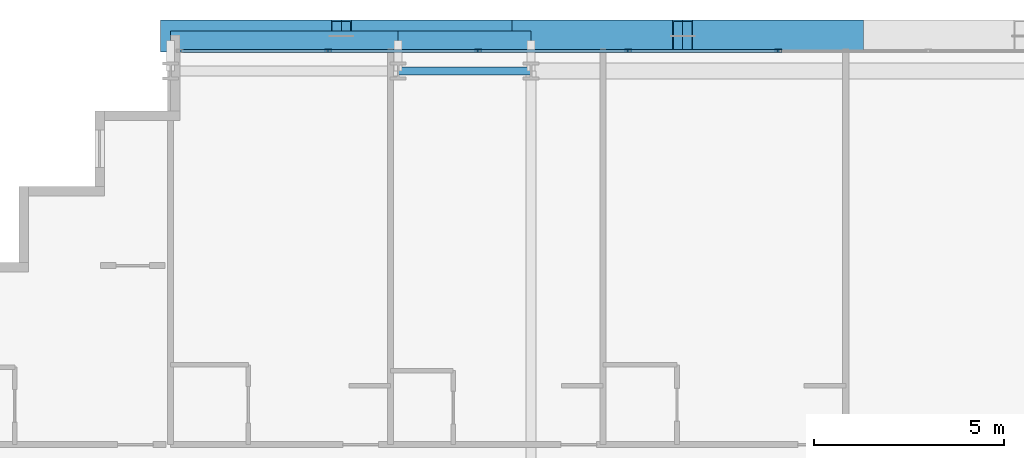
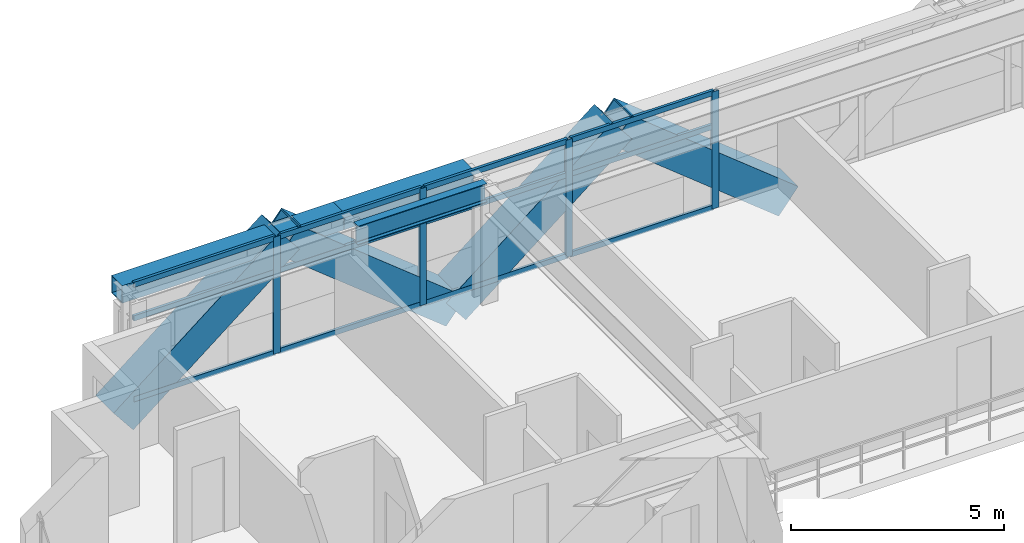
# One storey, part 18 of 35: 20 members, 3 beams, 1 element without a shape of its own.
"""IFC4 building model written with IfcOpenShell, lengths in metres."""

from ifc_helpers import new_model, si_unit, direction, frame, origin, origin_2d, place, context, subcontext, project, spatial, hollow_rectangle, i_section, extrude, source, transform, mapped, material, layer, layer_set, material_profile, profile_set, type_object, element, aggregate, save


model = new_model("IFC4")

# Units and contexts
model_context = context("Model", 3, precision=1e-05, world=origin(), true_north=direction((0.0, 1.0)))
body_context = subcontext(model_context, "Body", "Model", "MODEL_VIEW")
ifc_project = project(units=[si_unit("LENGTHUNIT", "METRE"), si_unit("AREAUNIT", "SQUARE_METRE"), si_unit("VOLUMEUNIT", "CUBIC_METRE"), si_unit("PLANEANGLEUNIT", "RADIAN"), si_unit("MASSUNIT", "GRAM", prefix="KILO")], contexts=[model_context])

# Site, building, storey
site_placement = place(None, origin())
site = spatial("IfcSite", under=ifc_project, at=site_placement, CompositionType="ELEMENT")
building_placement = place(site_placement, origin())
building = spatial("IfcBuilding", under=site, at=building_placement, Name="Ocotamira Hotel", CompositionType="ELEMENT")
storey_placement = place(building_placement, frame((0.0, 0.0, 49.199951171875)))
storey = spatial("IfcBuildingStorey", under=building, at=storey_placement, Name="L11", CompositionType="ELEMENT", Elevation=49.199951171875)

# Beams
ifc_material_1 = material(Name="Steel ASTM A992 Grade 50", Category="steel")
ifc_material_profile_1 = material_profile(ifc_material_1, i_section(OverallWidth=0.2099609375, OverallDepth=0.537109375, WebThickness=0.010986328125, FlangeThickness=0.017333984375, FilletRadius=0.012939453125, at=origin_2d()), Name="W21X68")
ifc_profile_set_1 = profile_set([ifc_material_profile_1], Name="Steel ASTM A992 Grade 50")
beam_type_1 = type_object("IfcBeamType", Name="BM-SEC-W21X68", PredefinedType="JOIST", material=ifc_profile_set_1)
shared_shape_1 = source(origin(), body_context, "Body", "SweptSolid", [
    extrude(i_section(OverallWidth=0.2099609375, OverallDepth=0.537109375, WebThickness=0.010986328125, FlangeThickness=0.017333984375, FilletRadius=0.012939453125, at=origin_2d()), origin(), (0.0, 0.0, 1.0), 3.5),
])
beam_1_placement = place(storey_placement, frame((20.0, 49.050048828125, 3.08154296875), z_axis=(1.0, 0.0, 0.0), x_axis=(0.0, 1.0, 0.0)))
element("IfcBeam", 1, at=beam_1_placement, inside=storey, type_object=beam_type_1, Name="L11 Girder Y49.05 X20-23.5", PredefinedType="JOIST", context=body_context, shape_type="MappedRepresentation", body=[
    mapped(shared_shape_1, transform((0.0, 0.0, 0.0), scale=1.0)),
])
ifc_material_2 = material(Name="Steel ASTM A500 Grade C", Category="steel")
ifc_material_profile_2 = material_profile(ifc_material_2, hollow_rectangle(XDim=0.5, YDim=0.5, WallThickness=0.02001953125, at=origin_2d()), Name="HSS500X500X20")
ifc_profile_set_2 = profile_set([ifc_material_profile_2], Name="Steel ASTM A500 Grade C")
beam_type_2 = type_object("IfcBeamType", Name="BM-SPAN-HSS500", PredefinedType="USERDEFINED", material=ifc_profile_set_2)
shared_shape_2 = source(origin(), body_context, "Body", "SweptSolid", [
    extrude(hollow_rectangle(XDim=0.5, YDim=0.5, WallThickness=0.02001953125, at=origin_2d()), origin(), (0.0, 0.0, 1.0), 6.0),
])
beam_2_placement = place(storey_placement, frame((14.0, 49.85009765625, 3.10009765625), z_axis=(1.0, 0.0, 0.0), x_axis=(0.0, 1.0, 0.0)))
element("IfcBeam", 2, at=beam_2_placement, inside=storey, type_object=beam_type_2, Name="L11 Edge Spandrel N X14-20", ObjectType="SPANDREL", PredefinedType="USERDEFINED", context=body_context, shape_type="MappedRepresentation", body=[
    mapped(shared_shape_2, transform((0.0, 0.0, 0.0), scale=1.0)),
])
shared_shape_3 = source(origin(), body_context, "Body", "SweptSolid", [
    extrude(hollow_rectangle(XDim=0.5, YDim=0.5, WallThickness=0.02001953125, at=origin_2d()), origin(), (0.0, 0.0, 1.0), 3.5),
])
beam_3_placement = place(storey_placement, frame((20.0, 49.85009765625, 3.10009765625), z_axis=(1.0, 0.0, 0.0), x_axis=(0.0, 1.0, 0.0)))
element("IfcBeam", 3, at=beam_3_placement, inside=storey, type_object=beam_type_2, Name="L11 Edge Spandrel N X20-23.5", ObjectType="SPANDREL", PredefinedType="USERDEFINED", context=body_context, shape_type="MappedRepresentation", body=[
    mapped(shared_shape_3, transform((0.0, 0.0, 0.0), scale=1.0)),
])

# Members
ifc_material_3 = material(Name="Pale-metal coated steel ASTM A913 Grade 65", Category="steel")
ifc_material_profile_3 = material_profile(ifc_material_3, hollow_rectangle(XDim=0.85009765625, YDim=0.85009765625, WallThickness=0.035888671875, at=origin_2d()), Name="BOX850X850X36")
ifc_profile_set_3 = profile_set([ifc_material_profile_3], Name="Pale-metal coated steel ASTM A913 Grade 65")
member_type_1 = type_object("IfcMemberType", Name="MEM-EXO-BOX850", PredefinedType="BRACE", material=ifc_profile_set_3)
shared_shape_4 = source(origin(), body_context, "Body", "SweptSolid", [
    extrude(hollow_rectangle(XDim=0.85009765625, YDim=0.85009765625, WallThickness=0.035888671875, at=origin_2d()), origin(), (0.0, 0.0, 1.0), 5.762939453125),
])
for number, where, z_axis, x_axis, name in (
    (4, (14.0, 49.969970703125, -0.5), (0.780860543151, 0.0, 0.624705380279), (0.0, 1.0, 0.0), "L11 Exoskeleton Diagrid N0.1"),
    (5, (23.0, 49.969970703125, -0.5), (-0.780860543151, 0.0, 0.624705380279), (0.0, -1.0, 0.0), "L11 Exoskeleton Diagrid N0.2"),
    (6, (23.0, 49.969970703125, -0.5), (0.780860543151, 0.0, 0.624705380279), (0.0, 1.0, 0.0), "L11 Exoskeleton Diagrid N1.1"),
    (7, (32.0, 49.969970703125, -0.5), (-0.780860543151, 0.0, 0.624705380279), (0.0, -1.0, 0.0), "L11 Exoskeleton Diagrid N1.2"),
):
    element("IfcMember", number, at=place(storey_placement, frame(where, z_axis=z_axis, x_axis=x_axis)), inside=storey, type_object=member_type_1, Name=name, PredefinedType="BRACE", context=body_context, shape_type="MappedRepresentation", body=[
        mapped(shared_shape_4, transform((0.0, 0.0, 0.0), scale=1.0)),
    ])

# Curtain wall, members
ifc_material_4 = material(Name="Anodised pale-metal aluminium and solar glass", Category="aluminium")
ifc_layer = layer(ifc_material_4, 0.179931640625)
ifc_layer_set = layer_set([ifc_layer], Name="Anodised pale-metal aluminium and solar glass")
curtain_wall_type = type_object("IfcCurtainWallType", Name="CW-SYS2-Z1", PredefinedType="NOTDEFINED", material=ifc_layer_set)
curtain_wall_placement = place(storey_placement, origin())
curtain_wall = element("IfcCurtainWall", 8, at=curtain_wall_placement, inside=storey, type_object=curtain_wall_type, Name="L11 Curtain Wall CW-2 CW-L11-N", PredefinedType="NOTDEFINED")
ifc_material_5 = material(Name="Anodised pale-metal aluminium 6063-T6", Category="aluminium")
ifc_material_profile_4 = material_profile(ifc_material_5, hollow_rectangle(XDim=0.074951171875, YDim=0.14990234375, WallThickness=0.006103515625, at=origin_2d()), Name="HSS150X75X6")
ifc_profile_set_4 = profile_set([ifc_material_profile_4], Name="Anodised pale-metal aluminium 6063-T6")
member_type_2 = type_object("IfcMemberType", Name="CWT-150X75", PredefinedType="USERDEFINED", material=ifc_profile_set_4)
shared_shape_5 = source(origin(), body_context, "Body", "SweptSolid", [
    extrude(hollow_rectangle(XDim=0.074951171875, YDim=0.14990234375, WallThickness=0.006103515625, at=origin_2d()), origin(), (0.0, 0.0, 1.0), 3.83544921875),
])
member_1_placement = place(storey_placement, frame((14.280029296875, 49.580078125, 0.03759765625), z_axis=(1.0, 0.0, 0.0), x_axis=(0.0, 1.0, 0.0)))
member_1 = element("IfcMember", 9, at=member_1_placement, type_object=member_type_2, Name="CW-2 transom 1.1", ObjectType="TRANSOM", PredefinedType="USERDEFINED", context=body_context, shape_type="MappedRepresentation", body=[
    mapped(shared_shape_5, transform((0.0, 0.0, 0.0), scale=1.0)),
])
member_2_placement = place(storey_placement, frame((14.280029296875, 49.580078125, 2.35009765625), z_axis=(1.0, 0.0, 0.0), x_axis=(0.0, 1.0, 0.0)))
member_2 = element("IfcMember", 10, at=member_2_placement, type_object=member_type_2, Name="CW-2 transom 1.2", ObjectType="TRANSOM", PredefinedType="USERDEFINED", context=body_context, shape_type="MappedRepresentation", body=[
    mapped(shared_shape_5, transform((0.0, 0.0, 0.0), scale=1.0)),
])
member_3_placement = place(storey_placement, frame((14.280029296875, 49.580078125, 3.3125), z_axis=(1.0, 0.0, 0.0), x_axis=(0.0, 1.0, 0.0)))
member_3 = element("IfcMember", 11, at=member_3_placement, type_object=member_type_2, Name="CW-2 transom 1.3", ObjectType="TRANSOM", PredefinedType="USERDEFINED", context=body_context, shape_type="MappedRepresentation", body=[
    mapped(shared_shape_5, transform((0.0, 0.0, 0.0), scale=1.0)),
])
shared_shape_6 = source(origin(), body_context, "Body", "SweptSolid", [
    extrude(hollow_rectangle(XDim=0.074951171875, YDim=0.14990234375, WallThickness=0.006103515625, at=origin_2d()), origin(), (0.0, 0.0, 1.0), 3.87548828125),
])
member_4_placement = place(storey_placement, frame((18.195556640625, 49.580078125, 0.03759765625), z_axis=(1.0, 0.0, 0.0), x_axis=(0.0, 1.0, 0.0)))
member_4 = element("IfcMember", 12, at=member_4_placement, type_object=member_type_2, Name="CW-2 transom 2.1", ObjectType="TRANSOM", PredefinedType="USERDEFINED", context=body_context, shape_type="MappedRepresentation", body=[
    mapped(shared_shape_6, transform((0.0, 0.0, 0.0), scale=1.0)),
])
member_5_placement = place(storey_placement, frame((18.195556640625, 49.580078125, 2.35009765625), z_axis=(1.0, 0.0, 0.0), x_axis=(0.0, 1.0, 0.0)))
member_5 = element("IfcMember", 13, at=member_5_placement, type_object=member_type_2, Name="CW-2 transom 2.2", ObjectType="TRANSOM", PredefinedType="USERDEFINED", context=body_context, shape_type="MappedRepresentation", body=[
    mapped(shared_shape_6, transform((0.0, 0.0, 0.0), scale=1.0)),
])
member_6_placement = place(storey_placement, frame((18.195556640625, 49.580078125, 3.3125), z_axis=(1.0, 0.0, 0.0), x_axis=(0.0, 1.0, 0.0)))
member_6 = element("IfcMember", 14, at=member_6_placement, type_object=member_type_2, Name="CW-2 transom 2.3", ObjectType="TRANSOM", PredefinedType="USERDEFINED", context=body_context, shape_type="MappedRepresentation", body=[
    mapped(shared_shape_6, transform((0.0, 0.0, 0.0), scale=1.0)),
])
member_7_placement = place(storey_placement, frame((22.151123046875, 49.580078125, 0.03759765625), z_axis=(1.0, 0.0, 0.0), x_axis=(0.0, 1.0, 0.0)))
member_7 = element("IfcMember", 15, at=member_7_placement, type_object=member_type_2, Name="CW-2 transom 3.1", ObjectType="TRANSOM", PredefinedType="USERDEFINED", context=body_context, shape_type="MappedRepresentation", body=[
    mapped(shared_shape_6, transform((0.0, 0.0, 0.0), scale=1.0)),
])
member_8_placement = place(storey_placement, frame((22.151123046875, 49.580078125, 2.35009765625), z_axis=(1.0, 0.0, 0.0), x_axis=(0.0, 1.0, 0.0)))
member_8 = element("IfcMember", 16, at=member_8_placement, type_object=member_type_2, Name="CW-2 transom 3.2", ObjectType="TRANSOM", PredefinedType="USERDEFINED", context=body_context, shape_type="MappedRepresentation", body=[
    mapped(shared_shape_6, transform((0.0, 0.0, 0.0), scale=1.0)),
])
member_9_placement = place(storey_placement, frame((22.151123046875, 49.580078125, 3.3125), z_axis=(1.0, 0.0, 0.0), x_axis=(0.0, 1.0, 0.0)))
member_9 = element("IfcMember", 17, at=member_9_placement, type_object=member_type_2, Name="CW-2 transom 3.3", ObjectType="TRANSOM", PredefinedType="USERDEFINED", context=body_context, shape_type="MappedRepresentation", body=[
    mapped(shared_shape_6, transform((0.0, 0.0, 0.0), scale=1.0)),
])
member_10_placement = place(storey_placement, frame((26.106689453125, 49.580078125, 0.03759765625), z_axis=(1.0, 0.0, 0.0), x_axis=(0.0, 1.0, 0.0)))
member_10 = element("IfcMember", 18, at=member_10_placement, type_object=member_type_2, Name="CW-2 transom 4.1", ObjectType="TRANSOM", PredefinedType="USERDEFINED", context=body_context, shape_type="MappedRepresentation", body=[
    mapped(shared_shape_6, transform((0.0, 0.0, 0.0), scale=1.0)),
])
member_11_placement = place(storey_placement, frame((26.106689453125, 49.580078125, 2.35009765625), z_axis=(1.0, 0.0, 0.0), x_axis=(0.0, 1.0, 0.0)))
member_11 = element("IfcMember", 19, at=member_11_placement, type_object=member_type_2, Name="CW-2 transom 4.2", ObjectType="TRANSOM", PredefinedType="USERDEFINED", context=body_context, shape_type="MappedRepresentation", body=[
    mapped(shared_shape_6, transform((0.0, 0.0, 0.0), scale=1.0)),
])
member_12_placement = place(storey_placement, frame((26.106689453125, 49.580078125, 3.3125), z_axis=(1.0, 0.0, 0.0), x_axis=(0.0, 1.0, 0.0)))
member_12 = element("IfcMember", 20, at=member_12_placement, type_object=member_type_2, Name="CW-2 transom 4.3", ObjectType="TRANSOM", PredefinedType="USERDEFINED", context=body_context, shape_type="MappedRepresentation", body=[
    mapped(shared_shape_6, transform((0.0, 0.0, 0.0), scale=1.0)),
])
ifc_material_profile_5 = material_profile(ifc_material_5, hollow_rectangle(XDim=0.080078125, YDim=0.179931640625, WallThickness=0.006103515625, at=origin_2d()), Name="HSS180X80X6")
ifc_profile_set_5 = profile_set([ifc_material_profile_5], Name="Anodised pale-metal aluminium 6063-T6")
member_type_3 = type_object("IfcMemberType", Name="CWM-180X75", PredefinedType="MULLION", material=ifc_profile_set_5)
shared_shape_7 = source(origin(), body_context, "Body", "SweptSolid", [
    extrude(hollow_rectangle(XDim=0.080078125, YDim=0.179931640625, WallThickness=0.006103515625, at=origin_2d()), origin(), (0.0, 0.0, 1.0), 3.35009765625),
])
member_13_placement = place(storey_placement, frame((18.155517578125, 49.580078125, 0.0), z_axis=(0.0, 0.0, 1.0), x_axis=(0.0, 1.0, 0.0)))
member_13 = element("IfcMember", 21, at=member_13_placement, type_object=member_type_3, Name="CW-2 mullion 2", PredefinedType="MULLION", context=body_context, shape_type="MappedRepresentation", body=[
    mapped(shared_shape_7, transform((0.0, 0.0, 0.0), scale=1.0)),
])
member_14_placement = place(storey_placement, frame((22.111083984375, 49.580078125, 0.0), z_axis=(0.0, 0.0, 1.0), x_axis=(0.0, 1.0, 0.0)))
member_14 = element("IfcMember", 22, at=member_14_placement, type_object=member_type_3, Name="CW-2 mullion 3", PredefinedType="MULLION", context=body_context, shape_type="MappedRepresentation", body=[
    mapped(shared_shape_7, transform((0.0, 0.0, 0.0), scale=1.0)),
])
member_15_placement = place(storey_placement, frame((26.066650390625, 49.580078125, 0.0), z_axis=(0.0, 0.0, 1.0), x_axis=(0.0, 1.0, 0.0)))
member_15 = element("IfcMember", 23, at=member_15_placement, type_object=member_type_3, Name="CW-2 mullion 4", PredefinedType="MULLION", context=body_context, shape_type="MappedRepresentation", body=[
    mapped(shared_shape_7, transform((0.0, 0.0, 0.0), scale=1.0)),
])
member_16_placement = place(storey_placement, frame((30.022216796875, 49.580078125, 0.0), z_axis=(0.0, 0.0, 1.0), x_axis=(0.0, 1.0, 0.0)))
member_16 = element("IfcMember", 24, at=member_16_placement, type_object=member_type_3, Name="CW-2 mullion 5", PredefinedType="MULLION", context=body_context, shape_type="MappedRepresentation", body=[
    mapped(shared_shape_7, transform((0.0, 0.0, 0.0), scale=1.0)),
])
aggregate(curtain_wall, [member_13, member_14, member_15, member_16, member_1, member_2, member_3, member_4, member_5, member_6, member_7, member_8, member_9, member_10, member_11, member_12])

save(model, "model.ifc")
